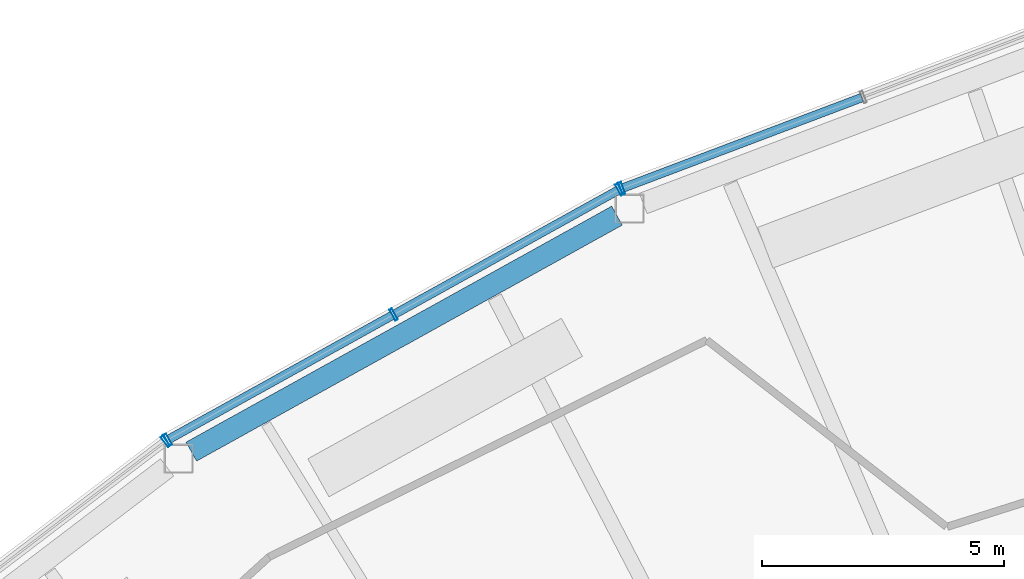
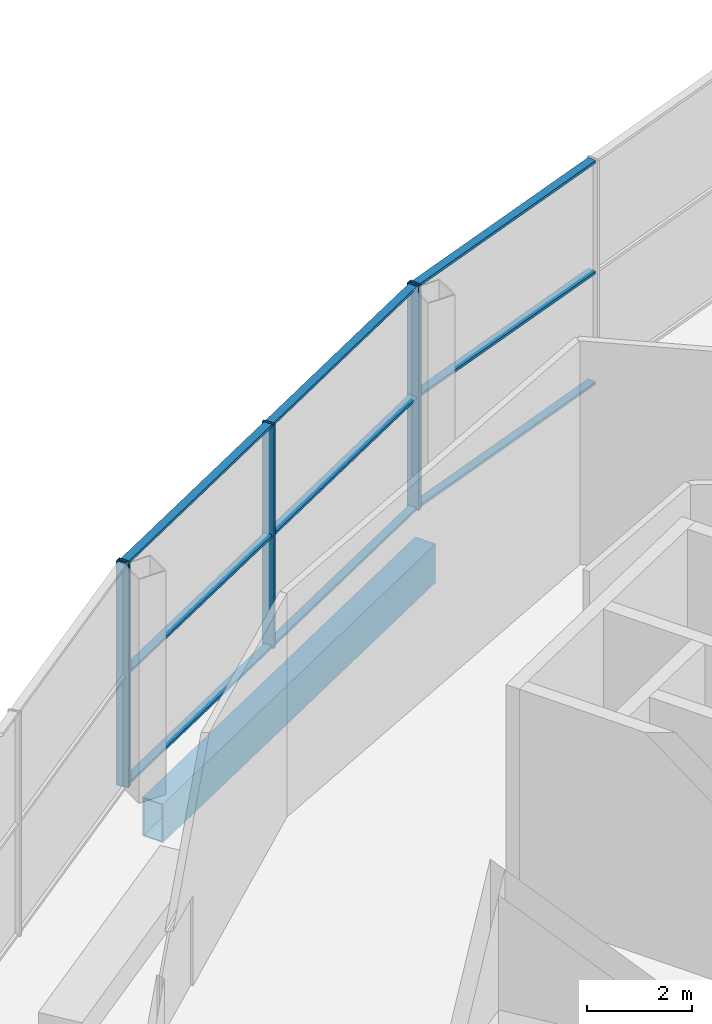
# One storey, part 14 of 44: 14 members, 1 beam, 3 elements without a shape of their own.
"""IFC4 building model written with IfcOpenShell, lengths in metres."""

from ifc_helpers import new_model, si_unit, direction, frame, origin, origin_2d, place, context, subcontext, project, spatial, hollow_rectangle, extrude, material, layer, layer_set, material_profile, profile_set, type_object, element, aggregate, save


model = new_model("IFC4")

# Units and contexts
model_context = context("Model", 3, precision=1e-05, world=origin(), true_north=direction((0.0, 1.0)))
body_context = subcontext(model_context, "Body", "Model", "MODEL_VIEW")
ifc_project = project(units=[si_unit("LENGTHUNIT", "METRE"), si_unit("AREAUNIT", "SQUARE_METRE"), si_unit("VOLUMEUNIT", "CUBIC_METRE"), si_unit("PLANEANGLEUNIT", "RADIAN"), si_unit("MASSUNIT", "GRAM", prefix="KILO")], contexts=[model_context])

# Site, building, storey
site_placement = place(None, origin())
site = spatial("IfcSite", under=ifc_project, at=site_placement, CompositionType="ELEMENT")
building_placement = place(site_placement, origin())
building = spatial("IfcBuilding", under=site, at=building_placement, Name="Tuul Gate Civic Tower", CompositionType="ELEMENT")
storey_placement = place(building_placement, frame((0.0, 0.0, 354.60009765625)))
storey = spatial("IfcBuildingStorey", under=building, at=storey_placement, Name="Observation level 2", CompositionType="ELEMENT", Elevation=354.60009765625)

# Curtain wall, member
ifc_material_1 = material(Name="Stainless steel", Category="steel")
ifc_layer = layer(ifc_material_1, 0.199951171875)
ifc_layer_set = layer_set([ifc_layer], Name="Stainless steel")
curtain_wall_type = type_object("IfcCurtainWallType", Name="Curtain wall CW4", PredefinedType="NOTDEFINED", material=ifc_layer_set)
curtain_wall_1_placement = place(storey_placement, origin())
curtain_wall_1 = element("IfcCurtainWall", 1, at=curtain_wall_1_placement, inside=storey, type_object=curtain_wall_type, Name="Curtain wall CW4", PredefinedType="NOTDEFINED")
ifc_material_2 = material(Name="Stainless steel", Category="steel")
ifc_material_profile_1 = material_profile(ifc_material_2, hollow_rectangle(XDim=0.260009765625, YDim=0.06005859375, WallThickness=0.006103515625, at=origin_2d()), Name="CW4 mullion")
ifc_profile_set_1 = profile_set([ifc_material_profile_1], Name="Stainless steel")
member_type_1 = type_object("IfcMemberType", Name="CW4 mullion", PredefinedType="MULLION", material=ifc_profile_set_1)
member_1_placement = place(storey_placement, frame((-29.032958984375, 7.401611328125, 0.0), z_axis=(0.0, 0.0, 1.0), x_axis=(0.35373363489, -0.935346200905, 0.0)))
member_1 = element("IfcMember", 2, at=member_1_placement, type_object=member_type_1, Name="Mullion", PredefinedType="MULLION", context=body_context, shape_type="SweptSolid", body=[
    extrude(hollow_rectangle(XDim=0.260009765625, YDim=0.06005859375, WallThickness=0.006103515625, at=origin_2d()), origin(), (0.0, 0.0, 1.0), 5.199951171875),
])

# Curtain wall, members
curtain_wall_2_placement = place(storey_placement, origin())
curtain_wall_2 = element("IfcCurtainWall", 3, at=curtain_wall_2_placement, inside=storey, type_object=curtain_wall_type, Name="Curtain wall CW4", PredefinedType="NOTDEFINED")
member_2_placement = place(storey_placement, frame((-29.087158203125, 7.37646484375, 0.0), z_axis=(0.0, 0.0, 1.0), x_axis=(0.48478912347, -0.874631068374, 0.0)))
member_2 = element("IfcMember", 4, at=member_2_placement, type_object=member_type_1, Name="Mullion", PredefinedType="MULLION", context=body_context, shape_type="SweptSolid", body=[
    extrude(hollow_rectangle(XDim=0.260009765625, YDim=0.06005859375, WallThickness=0.006103515625, at=origin_2d()), origin(), (0.0, 0.0, 1.0), 5.199951171875),
])
member_3_placement = place(storey_placement, frame((-33.759033203125, 4.787109375, 0.0), z_axis=(0.0, 0.0, 1.0), x_axis=(0.48478912347, -0.874631068374, 0.0)))
member_3 = element("IfcMember", 5, at=member_3_placement, type_object=member_type_1, Name="Mullion", PredefinedType="MULLION", context=body_context, shape_type="SweptSolid", body=[
    extrude(hollow_rectangle(XDim=0.260009765625, YDim=0.06005859375, WallThickness=0.006103515625, at=origin_2d()), origin(), (0.0, 0.0, 1.0), 5.199951171875),
])
member_4_placement = place(storey_placement, frame((-38.4306640625, 2.197509765625, 0.0), z_axis=(0.0, 0.0, 1.0), x_axis=(0.48478912347, -0.874631068374, 0.0)))
member_4 = element("IfcMember", 6, at=member_4_placement, type_object=member_type_1, Name="Mullion", PredefinedType="MULLION", context=body_context, shape_type="SweptSolid", body=[
    extrude(hollow_rectangle(XDim=0.260009765625, YDim=0.06005859375, WallThickness=0.006103515625, at=origin_2d()), origin(), (0.0, 0.0, 1.0), 5.199951171875),
])

# Curtain wall, member
curtain_wall_3_placement = place(storey_placement, origin())
curtain_wall_3 = element("IfcCurtainWall", 7, at=curtain_wall_3_placement, inside=storey, type_object=curtain_wall_type, Name="Curtain wall CW4", PredefinedType="NOTDEFINED")
member_5_placement = place(storey_placement, frame((-38.48095703125, 2.164794921875, 0.0), z_axis=(0.0, 0.0, 1.0), x_axis=(0.605807600786, -0.795611180684, 0.0)))
member_5 = element("IfcMember", 8, at=member_5_placement, type_object=member_type_1, Name="Mullion", PredefinedType="MULLION", context=body_context, shape_type="SweptSolid", body=[
    extrude(hollow_rectangle(XDim=0.260009765625, YDim=0.06005859375, WallThickness=0.006103515625, at=origin_2d()), origin(), (0.0, 0.0, 1.0), 5.199951171875),
])
aggregate(curtain_wall_3, [member_5])

# Member
ifc_material_3 = material(Name="Stainless steel", Category="steel")
ifc_material_profile_2 = material_profile(ifc_material_3, hollow_rectangle(XDim=0.179931640625, YDim=0.06005859375, WallThickness=0.006103515625, at=origin_2d()), Name="CW4 transom")
ifc_profile_set_2 = profile_set([ifc_material_profile_2], Name="Stainless steel")
member_type_2 = type_object("IfcMemberType", Name="CW4 transom", PredefinedType="USERDEFINED", material=ifc_profile_set_2)
member_6_placement = place(storey_placement, frame((-24.06494140625, 9.2802734375, 0.02978515625), z_axis=(-0.93534909907, -0.353725971438, 0.0), x_axis=(0.353725971438, -0.93534909907, 0.0)))
member_6 = element("IfcMember", 9, at=member_6_placement, type_object=member_type_2, Name="Transom", ObjectType="TRANSOM", PredefinedType="USERDEFINED", context=body_context, shape_type="SweptSolid", body=[
    extrude(hollow_rectangle(XDim=0.179931640625, YDim=0.06005859375, WallThickness=0.006103515625, at=origin_2d()), origin(), (0.0, 0.0, 1.0), 5.281494140625),
])

member_7_placement = place(storey_placement, frame((-24.06494140625, 9.2802734375, 2.599853515625), z_axis=(-0.93534909907, -0.353725971438, 0.0), x_axis=(0.353725971438, -0.93534909907, 0.0)))
member_7 = element("IfcMember", 10, at=member_7_placement, type_object=member_type_2, Name="Transom", ObjectType="TRANSOM", PredefinedType="USERDEFINED", context=body_context, shape_type="SweptSolid", body=[
    extrude(hollow_rectangle(XDim=0.179931640625, YDim=0.06005859375, WallThickness=0.006103515625, at=origin_2d()), origin(), (0.0, 0.0, 1.0), 5.281494140625),
])

member_8_placement = place(storey_placement, frame((-24.06494140625, 9.2802734375, 5.169921875), z_axis=(-0.93534909907, -0.353725971438, 0.0), x_axis=(0.353725971438, -0.93534909907, 0.0)))
member_8 = element("IfcMember", 11, at=member_8_placement, type_object=member_type_2, Name="Transom", ObjectType="TRANSOM", PredefinedType="USERDEFINED", context=body_context, shape_type="SweptSolid", body=[
    extrude(hollow_rectangle(XDim=0.179931640625, YDim=0.06005859375, WallThickness=0.006103515625, at=origin_2d()), origin(), (0.0, 0.0, 1.0), 5.281494140625),
])

aggregate(curtain_wall_1, [member_1, member_6, member_7, member_8])

member_9_placement = place(storey_placement, frame((-29.113525390625, 7.36181640625, 0.02978515625), z_axis=(-0.874630042006, -0.484790975186, 0.0), x_axis=(0.484790975186, -0.874630042006, 0.0)))
member_9 = element("IfcMember", 12, at=member_9_placement, type_object=member_type_2, Name="Transom", ObjectType="TRANSOM", PredefinedType="USERDEFINED", context=body_context, shape_type="SweptSolid", body=[
    extrude(hollow_rectangle(XDim=0.179931640625, YDim=0.06005859375, WallThickness=0.006103515625, at=origin_2d()), origin(), (0.0, 0.0, 1.0), 5.28125),
])

member_10_placement = place(storey_placement, frame((-29.113525390625, 7.36181640625, 2.599853515625), z_axis=(-0.874630042006, -0.484790975186, 0.0), x_axis=(0.484790975186, -0.874630042006, 0.0)))
member_10 = element("IfcMember", 13, at=member_10_placement, type_object=member_type_2, Name="Transom", ObjectType="TRANSOM", PredefinedType="USERDEFINED", context=body_context, shape_type="SweptSolid", body=[
    extrude(hollow_rectangle(XDim=0.179931640625, YDim=0.06005859375, WallThickness=0.006103515625, at=origin_2d()), origin(), (0.0, 0.0, 1.0), 5.28125),
])

member_11_placement = place(storey_placement, frame((-29.113525390625, 7.36181640625, 5.169921875), z_axis=(-0.874630042006, -0.484790975186, 0.0), x_axis=(0.484790975186, -0.874630042006, 0.0)))
member_11 = element("IfcMember", 14, at=member_11_placement, type_object=member_type_2, Name="Transom", ObjectType="TRANSOM", PredefinedType="USERDEFINED", context=body_context, shape_type="SweptSolid", body=[
    extrude(hollow_rectangle(XDim=0.179931640625, YDim=0.06005859375, WallThickness=0.006103515625, at=origin_2d()), origin(), (0.0, 0.0, 1.0), 5.28125),
])

member_12_placement = place(storey_placement, frame((-33.78515625, 4.7724609375, 0.02978515625), z_axis=(-0.874640905911, -0.484771374678, 0.0), x_axis=(0.484771374678, -0.874640905911, 0.0)))
member_12 = element("IfcMember", 15, at=member_12_placement, type_object=member_type_2, Name="Transom", ObjectType="TRANSOM", PredefinedType="USERDEFINED", context=body_context, shape_type="SweptSolid", body=[
    extrude(hollow_rectangle(XDim=0.179931640625, YDim=0.06005859375, WallThickness=0.006103515625, at=origin_2d()), origin(), (0.0, 0.0, 1.0), 5.281494140625),
])

member_13_placement = place(storey_placement, frame((-33.78515625, 4.7724609375, 2.599853515625), z_axis=(-0.874640905911, -0.484771374678, 0.0), x_axis=(0.484771374678, -0.874640905911, 0.0)))
member_13 = element("IfcMember", 16, at=member_13_placement, type_object=member_type_2, Name="Transom", ObjectType="TRANSOM", PredefinedType="USERDEFINED", context=body_context, shape_type="SweptSolid", body=[
    extrude(hollow_rectangle(XDim=0.179931640625, YDim=0.06005859375, WallThickness=0.006103515625, at=origin_2d()), origin(), (0.0, 0.0, 1.0), 5.281494140625),
])

member_14_placement = place(storey_placement, frame((-33.78515625, 4.7724609375, 5.169921875), z_axis=(-0.874640905911, -0.484771374678, 0.0), x_axis=(0.484771374678, -0.874640905911, 0.0)))
member_14 = element("IfcMember", 17, at=member_14_placement, type_object=member_type_2, Name="Transom", ObjectType="TRANSOM", PredefinedType="USERDEFINED", context=body_context, shape_type="SweptSolid", body=[
    extrude(hollow_rectangle(XDim=0.179931640625, YDim=0.06005859375, WallThickness=0.006103515625, at=origin_2d()), origin(), (0.0, 0.0, 1.0), 5.281494140625),
])

aggregate(curtain_wall_2, [member_2, member_3, member_4, member_9, member_10, member_11, member_12, member_13, member_14])

# Beam
ifc_material_4 = material(Name="Steel S355", Category="steel")
ifc_material_profile_3 = material_profile(ifc_material_4, hollow_rectangle(XDim=0.449951171875, YDim=0.89990234375, WallThickness=0.02490234375, at=origin_2d()), Name="BOX900x450x25")
ifc_profile_set_3 = profile_set([ifc_material_profile_3], Name="Steel S355")
beam_type = type_object("IfcBeamType", Name="STR-SPANDREL BEAM-BOX900x450x25", PredefinedType="BEAM", material=ifc_profile_set_3)
beam_placement = place(storey_placement, frame((-29.13427734375, 6.83642578125, -0.85009765625), z_axis=(-0.874588911386, -0.484865173095, 0.0), x_axis=(0.484865173095, -0.874588911386, 0.0)))
element("IfcBeam", 18, at=beam_placement, inside=storey, type_object=beam_type, Name="Spandrel beam", PredefinedType="BEAM", context=body_context, shape_type="SweptSolid", body=[
    extrude(hollow_rectangle(XDim=0.449951171875, YDim=0.89990234375, WallThickness=0.02490234375, at=origin_2d()), origin(), (0.0, 0.0, 1.0), 10.076904296875),
])

save(model, "model.ifc")
